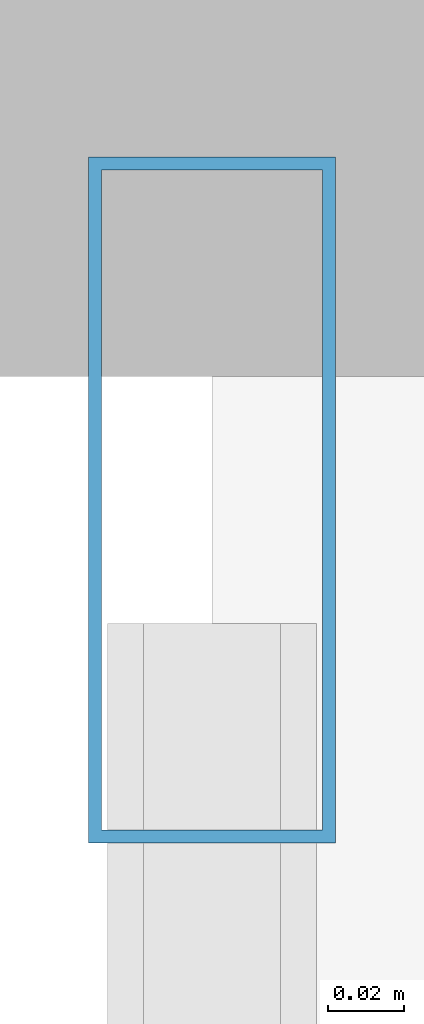
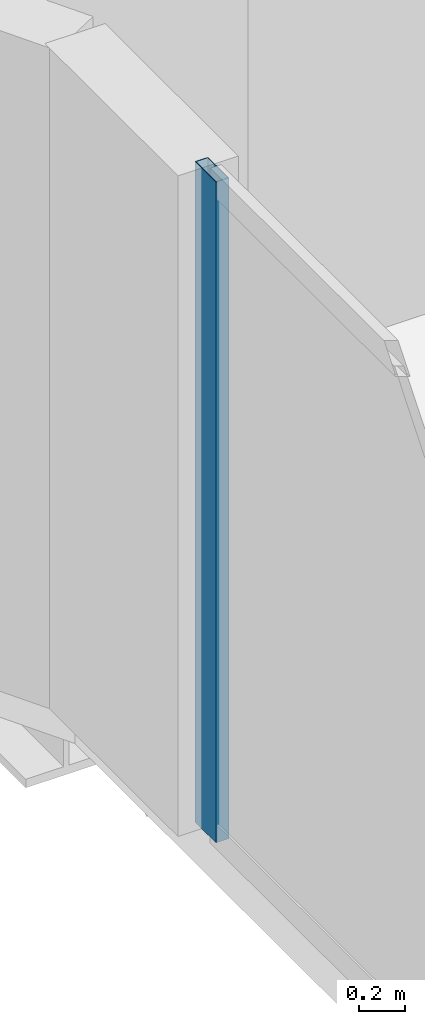
# One storey, part 4 of 28: 1 member, 1 element without a shape of its own.
"""IFC4 building model written with IfcOpenShell, lengths in metres."""

from ifc_helpers import new_model, si_unit, direction, frame, origin, origin_2d, place, context, subcontext, project, spatial, hollow_rectangle, extrude, material, layer, layer_set, material_profile, profile_set, type_object, element, aggregate, save


model = new_model("IFC4")

# Units and contexts
model_context = context("Model", 3, precision=1e-05, world=origin(), true_north=direction((0.0, 1.0)))
body_context = subcontext(model_context, "Body", "Model", "MODEL_VIEW")
ifc_project = project(units=[si_unit("LENGTHUNIT", "METRE"), si_unit("AREAUNIT", "SQUARE_METRE"), si_unit("VOLUMEUNIT", "CUBIC_METRE"), si_unit("PLANEANGLEUNIT", "RADIAN"), si_unit("MASSUNIT", "GRAM", prefix="KILO")], contexts=[model_context])

# Site, building, storey
site_placement = place(None, origin())
site = spatial("IfcSite", under=ifc_project, at=site_placement, CompositionType="ELEMENT")
building_placement = place(site_placement, origin())
building = spatial("IfcBuilding", under=site, at=building_placement, Name="Zuhayl Quay Hotel", CompositionType="ELEMENT")
storey_placement = place(building_placement, frame((0.0, 0.0, 239.64990234375)))
storey = spatial("IfcBuildingStorey", under=building, at=storey_placement, Name="L60", CompositionType="ELEMENT", Elevation=239.64990234375)

# Curtain wall, member
ifc_material_1 = material(Name="Anodised Aluminium 6063-T6", Category="aluminium")
ifc_layer = layer(ifc_material_1, 0.169921875, Name="Anodised Aluminium 6063-T6", Category="aluminium")
ifc_layer_set = layer_set([ifc_layer], Name="Anodised Aluminium 6063-T6")
curtain_wall_type = type_object("IfcCurtainWallType", Name="CW_SYS_Z4", PredefinedType="USERDEFINED", material=ifc_layer_set)
curtain_wall_placement = place(storey_placement, origin())
curtain_wall = element("IfcCurtainWall", 1, at=curtain_wall_placement, inside=storey, type_object=curtain_wall_type, Name="L60 Curtain Wall ENV_L60_E02_CW1", ObjectType="UNITISED CURTAIN WALL", PredefinedType="USERDEFINED")
ifc_material_2 = material(Name="Black-anodised aluminium 6063-T6", Category="aluminium")
ifc_material_profile = material_profile(ifc_material_2, hollow_rectangle(XDim=0.06494140625, YDim=0.179931640625, WallThickness=0.00341796875, at=origin_2d()), Name="ALU180X65")
ifc_profile_set = profile_set([ifc_material_profile], Name="Black-anodised aluminium 6063-T6")
member_type = type_object("IfcMemberType", Name="MB_CW_MUL_180", PredefinedType="MULLION", material=ifc_profile_set)
member_placement = place(storey_placement, frame((-20.199951171875, 13.717529296875, 0.0), z_axis=(0.0, 0.0, 1.0), x_axis=(-1.0, 0.0, 0.0)))
member = element("IfcMember", 2, at=member_placement, type_object=member_type, Name="CW-Z4 mullion 2", PredefinedType="MULLION", context=body_context, shape_type="SweptSolid", body=[
    extrude(hollow_rectangle(XDim=0.06494140625, YDim=0.179931640625, WallThickness=0.00341796875, at=origin_2d()), origin(), (0.0, 0.0, 1.0), 3.47998046875),
])
aggregate(curtain_wall, [member])

save(model, "model.ifc")
